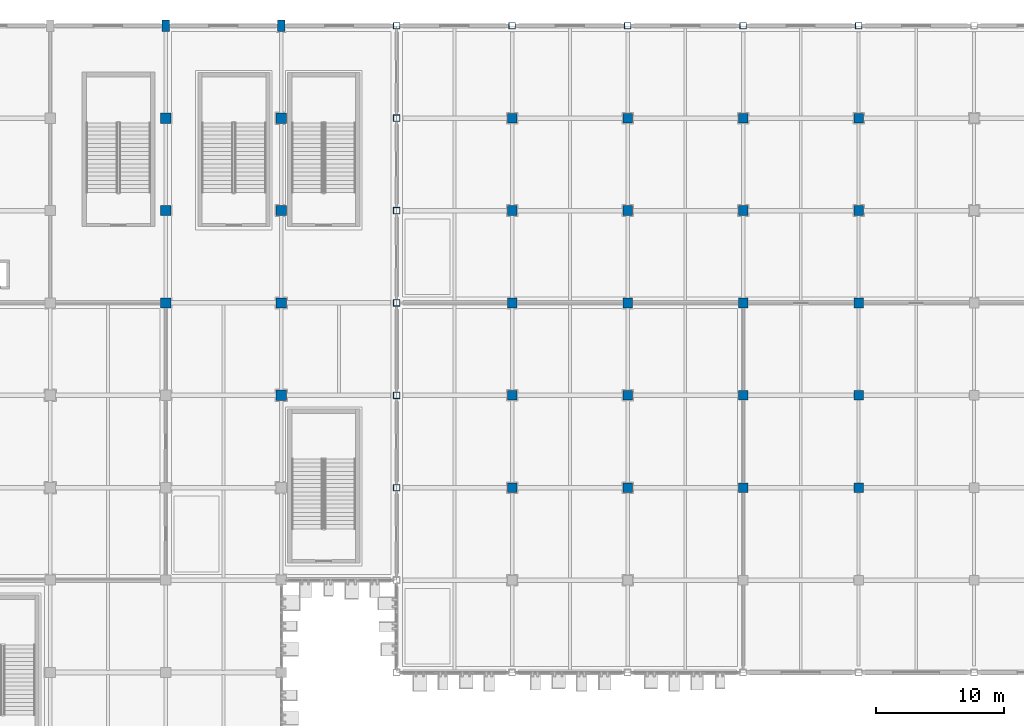
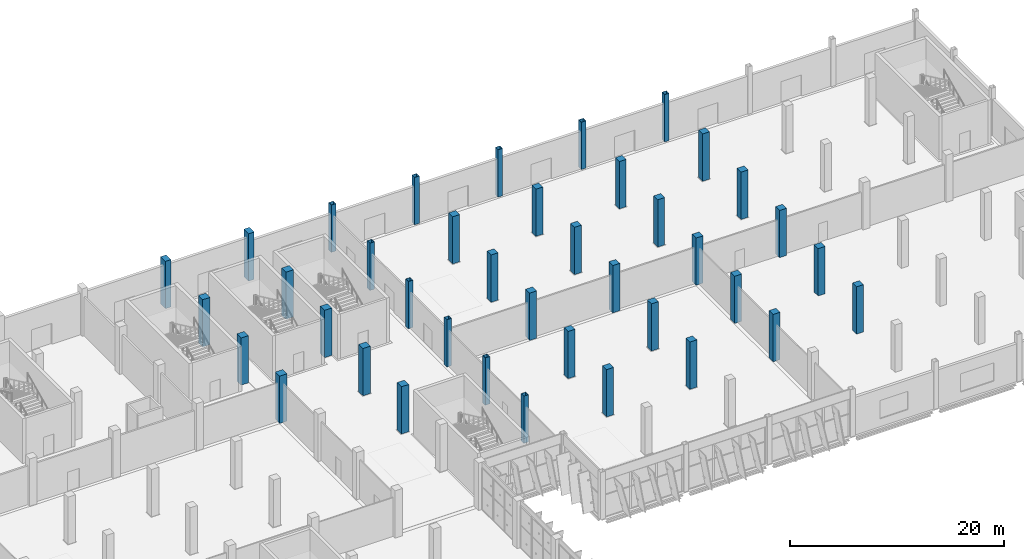
# One storey, part 15 of 137: 39 columns.
"""IFC4 building model written with IfcOpenShell, lengths in metres."""

from ifc_helpers import new_model, si_unit, direction, frame, origin, origin_2d, place, context, subcontext, project, spatial, rectangle, hollow_rectangle, extrude, material, material_profile, profile_set, type_object, element, save


model = new_model("IFC4")

# Units and contexts
model_context = context("Model", 3, precision=1e-05, world=origin(), true_north=direction((0.0, 1.0)))
body_context = subcontext(model_context, "Body", "Model", "MODEL_VIEW")
ifc_project = project(units=[si_unit("LENGTHUNIT", "METRE"), si_unit("AREAUNIT", "SQUARE_METRE"), si_unit("VOLUMEUNIT", "CUBIC_METRE"), si_unit("PLANEANGLEUNIT", "RADIAN"), si_unit("MASSUNIT", "GRAM", prefix="KILO")], contexts=[model_context])

# Site, building, storey
site_placement = place(None, origin())
site = spatial("IfcSite", under=ifc_project, at=site_placement, CompositionType="ELEMENT")
building_placement = place(site_placement, origin())
building = spatial("IfcBuilding", under=site, at=building_placement, Name="Celestram Park Convention Centre", CompositionType="ELEMENT")
storey_placement = place(building_placement, origin())
storey = spatial("IfcBuildingStorey", under=building, at=storey_placement, Name="L00", CompositionType="ELEMENT", Elevation=0.0)

# Columns
ifc_material_1 = material(Name="Steel ASTM A500 Grade C", Category="steel")
ifc_material_profile_1 = material_profile(ifc_material_1, hollow_rectangle(XDim=0.5, YDim=0.5, WallThickness=0.02001953125, at=origin_2d()), Name="HSS500X500X20")
ifc_profile_set_1 = profile_set([ifc_material_profile_1], Name="Steel ASTM A500 Grade C")
column_type_1 = type_object("IfcColumnType", Name="STR-COL-HSS500", PredefinedType="COLUMN", material=ifc_profile_set_1)
for number, where, z_axis, x_axis, name in (
    (1, (153.0, 129.60009765625, 0.0), (0.0, 0.0, 1.0), (1.0, 0.0, 0.0), "Column CN-L00-244"),
    (2, (153.0, 136.800048828125, 0.0), (0.0, 0.0, 1.0), (1.0, 0.0, 0.0), "Column CN-L00-245"),
    (3, (153.0, 144.0, 0.0), (0.0, 0.0, 1.0), (1.0, 0.0, 0.0), "Column CN-L00-246"),
    (4, (153.0, 151.199951171875, 0.0), (0.0, 0.0, 1.0), (1.0, 0.0, 0.0), "Column CN-L00-247"),
    (5, (153.0, 158.39990234375, 0.0), (0.0, 0.0, 1.0), (1.0, 0.0, 0.0), "Column CN-L00-248"),
    (6, (153.0, 165.60009765625, 0.0), (0.0, 0.0, 1.0), (1.0, 0.0, 0.0), "Column CN-L00-249"),
    (7, (162.0, 165.60009765625, 0.0), (0.0, 0.0, 1.0), (1.0, 0.0, 0.0), "Column CN-L00-263"),
    (8, (171.0, 165.60009765625, 0.0), (0.0, 0.0, 1.0), (1.0, 0.0, 0.0), "Column CN-L00-277"),
    (9, (180.0, 165.60009765625, 0.0), (0.0, 0.0, 1.0), (1.0, 0.0, 0.0), "Column CN-L00-291"),
    (10, (189.0, 165.60009765625, 0.0), (0.0, 0.0, 1.0), (1.0, 0.0, 0.0), "Column CN-L00-305"),
):
    element("IfcColumn", number, at=place(storey_placement, frame(where, z_axis=z_axis, x_axis=x_axis)), inside=storey, type_object=column_type_1, Name=name, PredefinedType="COLUMN", context=body_context, shape_type="SweptSolid", body=[
        extrude(hollow_rectangle(XDim=0.5, YDim=0.5, WallThickness=0.02001953125, at=origin_2d()), origin(), (0.0, 0.0, 1.0), 5.39990234375),
    ])
ifc_material_2 = material(Name="Concrete C40/50", Category="concrete")
ifc_material_profile_2 = material_profile(ifc_material_2, rectangle(XDim=0.75, YDim=0.75, at=origin_2d()), Name="RC750X750")
ifc_profile_set_2 = profile_set([ifc_material_profile_2], Name="Concrete C40/50")
column_type_2 = type_object("IfcColumnType", Name="STR-COL-RC750", PredefinedType="COLUMN", material=ifc_profile_set_2)
for number, where, z_axis, x_axis, name in (
    (11, (162.0, 129.60009765625, 0.0), (0.0, 0.0, 1.0), (1.0, 0.0, 0.0), "Column CN-L00-258"),
    (12, (162.0, 136.800048828125, 0.0), (0.0, 0.0, 1.0), (1.0, 0.0, 0.0), "Column CN-L00-259"),
    (13, (162.0, 144.0, 0.0), (0.0, 0.0, 1.0), (1.0, 0.0, 0.0), "Column CN-L00-260"),
    (14, (162.0, 151.199951171875, 0.0), (0.0, 0.0, 1.0), (1.0, 0.0, 0.0), "Column CN-L00-261"),
    (15, (162.0, 158.39990234375, 0.0), (0.0, 0.0, 1.0), (1.0, 0.0, 0.0), "Column CN-L00-262"),
    (16, (171.0, 129.60009765625, 0.0), (0.0, 0.0, 1.0), (1.0, 0.0, 0.0), "Column CN-L00-272"),
    (17, (171.0, 136.800048828125, 0.0), (0.0, 0.0, 1.0), (1.0, 0.0, 0.0), "Column CN-L00-273"),
    (18, (171.0, 144.0, 0.0), (0.0, 0.0, 1.0), (1.0, 0.0, 0.0), "Column CN-L00-274"),
    (19, (171.0, 151.199951171875, 0.0), (0.0, 0.0, 1.0), (1.0, 0.0, 0.0), "Column CN-L00-275"),
    (20, (171.0, 158.39990234375, 0.0), (0.0, 0.0, 1.0), (1.0, 0.0, 0.0), "Column CN-L00-276"),
    (21, (180.0, 129.60009765625, 0.0), (0.0, 0.0, 1.0), (1.0, 0.0, 0.0), "Column CN-L00-286"),
    (22, (180.0, 136.800048828125, 0.0), (0.0, 0.0, 1.0), (1.0, 0.0, 0.0), "Column CN-L00-287"),
    (23, (180.0, 144.0, 0.0), (0.0, 0.0, 1.0), (1.0, 0.0, 0.0), "Column CN-L00-288"),
    (24, (180.0, 151.199951171875, 0.0), (0.0, 0.0, 1.0), (1.0, 0.0, 0.0), "Column CN-L00-289"),
    (25, (180.0, 158.39990234375, 0.0), (0.0, 0.0, 1.0), (1.0, 0.0, 0.0), "Column CN-L00-290"),
    (26, (189.0, 129.60009765625, 0.0), (0.0, 0.0, 1.0), (1.0, 0.0, 0.0), "Column CN-L00-300"),
    (27, (189.0, 136.800048828125, 0.0), (0.0, 0.0, 1.0), (1.0, 0.0, 0.0), "Column CN-L00-301"),
    (28, (189.0, 144.0, 0.0), (0.0, 0.0, 1.0), (1.0, 0.0, 0.0), "Column CN-L00-302"),
    (29, (189.0, 151.199951171875, 0.0), (0.0, 0.0, 1.0), (1.0, 0.0, 0.0), "Column CN-L00-303"),
    (30, (189.0, 158.39990234375, 0.0), (0.0, 0.0, 1.0), (1.0, 0.0, 0.0), "Column CN-L00-304"),
):
    element("IfcColumn", number, at=place(storey_placement, frame(where, z_axis=z_axis, x_axis=x_axis)), inside=storey, type_object=column_type_2, Name=name, PredefinedType="COLUMN", context=body_context, shape_type="SweptSolid", body=[
        extrude(rectangle(XDim=0.75, YDim=0.75, at=origin_2d()), origin(), (0.0, 0.0, 1.0), 5.39990234375),
    ])
ifc_material_profile_3 = material_profile(ifc_material_2, rectangle(XDim=0.800048828125, YDim=0.800048828125, at=origin_2d()), Name="RC800X800")
ifc_profile_set_3 = profile_set([ifc_material_profile_3], Name="Concrete C40/50")
column_type_3 = type_object("IfcColumnType", Name="STR-COL-RC800", PredefinedType="COLUMN", material=ifc_profile_set_3)
for number, where, z_axis, x_axis, name in (
    (31, (135.0, 144.0, 0.0), (0.0, 0.0, 1.0), (1.0, 0.0, 0.0), "Column CN-L00-208"),
    (32, (135.0, 151.199951171875, 0.0), (0.0, 0.0, 1.0), (1.0, 0.0, 0.0), "Column CN-L00-209"),
    (33, (135.0, 158.39990234375, 0.0), (0.0, 0.0, 1.0), (1.0, 0.0, 0.0), "Column CN-L00-210"),
    (34, (144.0, 136.800048828125, 0.0), (0.0, 0.0, 1.0), (1.0, 0.0, 0.0), "Column CN-L00-231"),
    (35, (144.0, 144.0, 0.0), (0.0, 0.0, 1.0), (1.0, 0.0, 0.0), "Column CN-L00-232"),
    (36, (144.0, 151.199951171875, 0.0), (0.0, 0.0, 1.0), (1.0, 0.0, 0.0), "Column CN-L00-233"),
    (37, (144.0, 158.39990234375, 0.0), (0.0, 0.0, 1.0), (1.0, 0.0, 0.0), "Column CN-L00-234"),
):
    element("IfcColumn", number, at=place(storey_placement, frame(where, z_axis=z_axis, x_axis=x_axis)), inside=storey, type_object=column_type_3, Name=name, PredefinedType="COLUMN", context=body_context, shape_type="SweptSolid", body=[
        extrude(rectangle(XDim=0.800048828125, YDim=0.800048828125, at=origin_2d()), origin(), (0.0, 0.0, 1.0), 5.39990234375),
    ])
ifc_material_profile_4 = material_profile(ifc_material_2, rectangle(XDim=0.60009765625, YDim=0.89990234375, at=origin_2d()), Name="RC900X600")
ifc_profile_set_4 = profile_set([ifc_material_profile_4], Name="Concrete C40/50")
column_type_4 = type_object("IfcColumnType", Name="STR-COL-RC900X600", PredefinedType="COLUMN", material=ifc_profile_set_4)
for number, where, z_axis, x_axis, name in (
    (38, (135.0, 165.60009765625, 0.0), (0.0, 0.0, 1.0), (1.0, 0.0, 0.0), "Column CN-L00-211"),
    (39, (144.0, 165.60009765625, 0.0), (0.0, 0.0, 1.0), (1.0, 0.0, 0.0), "Column CN-L00-235"),
):
    element("IfcColumn", number, at=place(storey_placement, frame(where, z_axis=z_axis, x_axis=x_axis)), inside=storey, type_object=column_type_4, Name=name, PredefinedType="COLUMN", context=body_context, shape_type="SweptSolid", body=[
        extrude(rectangle(XDim=0.60009765625, YDim=0.89990234375, at=origin_2d()), origin(), (0.0, 0.0, 1.0), 5.39990234375),
    ])

save(model, "model.ifc")
